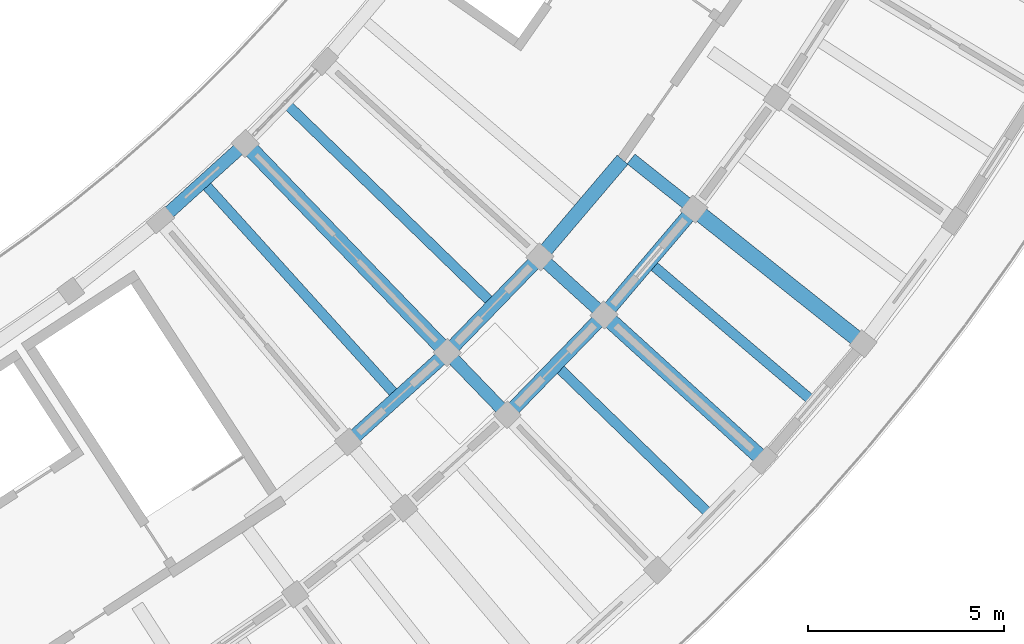
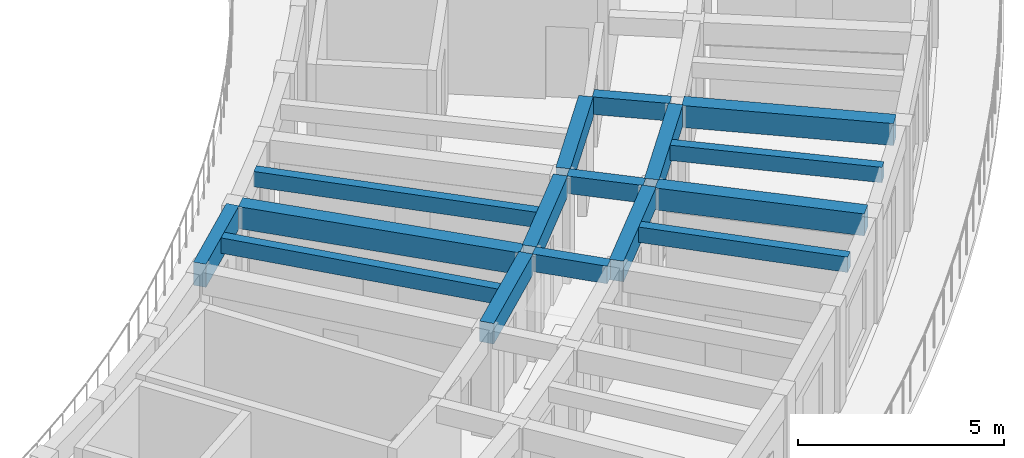
# One storey, part 10 of 56: 16 beams.
"""IFC4 building model written with IfcOpenShell, lengths in metres."""

from ifc_helpers import new_model, si_unit, direction, frame, origin, origin_2d, place, context, subcontext, project, spatial, rectangle, extrude, material, material_profile, profile_set, type_object, element, save


model = new_model("IFC4")

# Units and contexts
model_context = context("Model", 3, precision=1e-05, world=origin(), true_north=direction((0.0, 1.0)))
body_context = subcontext(model_context, "Body", "Model", "MODEL_VIEW")
ifc_project = project(units=[si_unit("LENGTHUNIT", "METRE"), si_unit("AREAUNIT", "SQUARE_METRE"), si_unit("VOLUMEUNIT", "CUBIC_METRE"), si_unit("PLANEANGLEUNIT", "RADIAN"), si_unit("MASSUNIT", "GRAM", prefix="KILO")], contexts=[model_context])

# Site, building, storey
site_placement = place(None, origin())
site = spatial("IfcSite", under=ifc_project, at=site_placement, CompositionType="ELEMENT")
building_placement = place(site_placement, origin())
building = spatial("IfcBuilding", under=site, at=building_placement, Name="Tanwirah Colonnade Gardens", CompositionType="ELEMENT")
storey_placement = place(building_placement, frame((0.0, 0.0, 29.0)))
storey = spatial("IfcBuildingStorey", under=building, at=storey_placement, Name="L08", CompositionType="ELEMENT", Elevation=29.0)

# Beams
ifc_material_1 = material(Name="Precast concrete C40/50", Category="concrete")
ifc_material_profile_1 = material_profile(ifc_material_1, rectangle(XDim=0.360107421875, YDim=0.610107421875, at=origin_2d()), Name="PC-BM 360x610")
ifc_profile_set_1 = profile_set([ifc_material_profile_1], Name="Precast concrete C40/50")
beam_type_1 = type_object("IfcBeamType", Name="BM-PC300", PredefinedType="BEAM", material=ifc_profile_set_1)
beam_1_placement = place(storey_placement, frame((154.61279296875, 25.027099609375, 2.820068359375), z_axis=(0.741698455559, 0.670733479873, 0.0), x_axis=(-0.670733479873, 0.741698455559, 0.0)))
element("IfcBeam", 1, at=beam_1_placement, inside=storey, type_object=beam_type_1, Name="Block D L08 Circumferential Beam 7-R1", PredefinedType="BEAM", context=body_context, shape_type="SweptSolid", body=[
    extrude(rectangle(XDim=0.360107421875, YDim=0.610107421875, at=origin_2d()), origin(), (0.0, 0.0, 1.0), 3.0927734375),
])
beam_2_placement = place(storey_placement, frame((157.12255859375, 27.309814453125, 2.820068359375), z_axis=(0.696209937932, 0.71783822852, 0.0), x_axis=(-0.71783822852, 0.696209937932, 0.0)))
element("IfcBeam", 2, at=beam_2_placement, inside=storey, type_object=beam_type_1, Name="Block D L08 Circumferential Beam 8-R1", PredefinedType="BEAM", context=body_context, shape_type="SweptSolid", body=[
    extrude(rectangle(XDim=0.360107421875, YDim=0.610107421875, at=origin_2d()), origin(), (0.0, 0.0, 1.0), 3.093017578125),
])
beam_3_placement = place(storey_placement, frame((158.650634765625, 25.727294921875, 2.820068359375), z_axis=(0.696238887656, 0.717810149911, 0.0), x_axis=(-0.717810149911, 0.696238887656, 0.0)))
element("IfcBeam", 3, at=beam_3_placement, inside=storey, type_object=beam_type_1, Name="Block D L08 Circumferential Beam 8-R2", PredefinedType="BEAM", context=body_context, shape_type="SweptSolid", body=[
    extrude(rectangle(XDim=0.360107421875, YDim=0.610107421875, at=origin_2d()), origin(), (0.0, 0.0, 1.0), 3.23681640625),
])
beam_4_placement = place(storey_placement, frame((159.4775390625, 29.751953125, 2.820068359375), z_axis=(0.647730901566, 0.761869200819, 0.0), x_axis=(-0.761869200819, 0.647730901566, 0.0)))
element("IfcBeam", 4, at=beam_4_placement, inside=storey, type_object=beam_type_1, Name="Block D L08 Circumferential Beam 9-R1", PredefinedType="BEAM", context=body_context, shape_type="SweptSolid", body=[
    extrude(rectangle(XDim=0.360107421875, YDim=0.610107421875, at=origin_2d()), origin(), (0.0, 0.0, 1.0), 3.093017578125),
])
beam_5_placement = place(storey_placement, frame((161.10595703125, 28.27294921875, 2.820068359375), z_axis=(0.6478235549, 0.761790418499, 0.0), x_axis=(-0.761790418499, 0.6478235549, 0.0)))
element("IfcBeam", 5, at=beam_5_placement, inside=storey, type_object=beam_type_1, Name="Block D L08 Circumferential Beam 9-R2", PredefinedType="BEAM", context=body_context, shape_type="SweptSolid", body=[
    extrude(rectangle(XDim=0.360107421875, YDim=0.610107421875, at=origin_2d()), origin(), (0.0, 0.0, 1.0), 3.23681640625),
])
ifc_material_profile_2 = material_profile(ifc_material_1, rectangle(XDim=0.320068359375, YDim=0.52001953125, at=origin_2d()), Name="PC-BM 320x520")
ifc_profile_set_2 = profile_set([ifc_material_profile_2], Name="Precast concrete C40/50")
beam_type_2 = type_object("IfcBeamType", Name="BM-PC320", PredefinedType="BEAM", material=ifc_profile_set_2)
beam_6_placement = place(storey_placement, frame((157.122314453125, 27.09423828125, 2.864990234375), z_axis=(0.694663306685, -0.719335033448, 0.0), x_axis=(0.719335033448, 0.694663306685, 0.0)))
element("IfcBeam", 6, at=beam_6_placement, inside=storey, type_object=beam_type_2, Name="Block D L08 Corridor Tie Beam 8", PredefinedType="BEAM", context=body_context, shape_type="SweptSolid", body=[
    extrude(rectangle(XDim=0.320068359375, YDim=0.52001953125, at=origin_2d()), origin(), (0.0, 0.0, 1.0), 1.89990234375),
])
beam_7_placement = place(storey_placement, frame((159.491455078125, 29.536865234375, 2.864990234375), z_axis=(0.740219127015, -0.672365707038, 0.0), x_axis=(0.672365707038, 0.740219127015, 0.0)))
element("IfcBeam", 7, at=beam_7_placement, inside=storey, type_object=beam_type_2, Name="Block D L08 Corridor Tie Beam 9", PredefinedType="BEAM", context=body_context, shape_type="SweptSolid", body=[
    extrude(rectangle(XDim=0.320068359375, YDim=0.52001953125, at=origin_2d()), origin(), (0.0, 0.0, 1.0), 1.899658203125),
])
beam_8_placement = place(storey_placement, frame((161.695556640625, 32.129150390625, 2.864990234375), z_axis=(0.782670764896, -0.622435919415, 0.0), x_axis=(0.622435919415, 0.782670764896, 0.0)))
element("IfcBeam", 8, at=beam_8_placement, inside=storey, type_object=beam_type_2, Name="Block D L08 Corridor Tie Beam 10", PredefinedType="BEAM", context=body_context, shape_type="SweptSolid", body=[
    extrude(rectangle(XDim=0.320068359375, YDim=0.52001953125, at=origin_2d()), origin(), (0.0, 0.0, 1.0), 1.89990234375),
])
ifc_material_2 = material(Name="Precast concrete C45/55", Category="concrete")
ifc_material_profile_3 = material_profile(ifc_material_2, rectangle(XDim=0.39990234375, YDim=0.64990234375, at=origin_2d()), Name="PC-BM 400x650")
ifc_profile_set_3 = profile_set([ifc_material_profile_3], Name="Precast concrete C45/55")
beam_type_3 = type_object("IfcBeamType", Name="BM-PC400", PredefinedType="BEAM", material=ifc_profile_set_3)
beam_9_placement = place(storey_placement, frame((156.913818359375, 27.31005859375, 2.800048828125), z_axis=(-0.694654648761, 0.719343394322, 0.0), x_axis=(-0.719343394322, -0.694654648761, 0.0)))
element("IfcBeam", 9, at=beam_9_placement, inside=storey, type_object=beam_type_3, Name="Block D L08 Inner Radial Precast Girder 8", PredefinedType="BEAM", context=body_context, shape_type="SweptSolid", body=[
    extrude(rectangle(XDim=0.39990234375, YDim=0.64990234375, at=origin_2d()), origin(), (0.0, 0.0, 1.0), 7.10009765625),
])
beam_10_placement = place(storey_placement, frame((161.119873046875, 28.0576171875, 2.800048828125), z_axis=(0.740237431414, -0.672345554855, 0.0), x_axis=(0.672345554855, 0.740237431414, 0.0)))
element("IfcBeam", 10, at=beam_10_placement, inside=storey, type_object=beam_type_3, Name="Block D L08 Outer Radial Precast Girder 9", PredefinedType="BEAM", context=body_context, shape_type="SweptSolid", body=[
    extrude(rectangle(XDim=0.39990234375, YDim=0.64990234375, at=origin_2d()), origin(), (0.0, 0.0, 1.0), 5.199951171875),
])
beam_11_placement = place(storey_placement, frame((163.41748046875, 30.759765625, 2.800048828125), z_axis=(0.782592736164, -0.622534022606, 0.0), x_axis=(0.622534022606, 0.782592736164, 0.0)))
element("IfcBeam", 11, at=beam_11_placement, inside=storey, type_object=beam_type_3, Name="Block D L08 Outer Radial Precast Girder 10", PredefinedType="BEAM", context=body_context, shape_type="SweptSolid", body=[
    extrude(rectangle(XDim=0.39990234375, YDim=0.64990234375, at=origin_2d()), origin(), (0.0, 0.0, 1.0), 5.19970703125),
])
ifc_material_profile_4 = material_profile(ifc_material_1, rectangle(XDim=0.2548828125, YDim=0.455078125, at=origin_2d()), Name="PC-JST 255x455")
ifc_profile_set_4 = profile_set([ifc_material_profile_4], Name="Precast concrete C40/50")
beam_type_4 = type_object("IfcBeamType", Name="JST-PC240", PredefinedType="JOIST", material=ifc_profile_set_4)
beam_12_placement = place(storey_placement, frame((150.895263671875, 31.443115234375, 2.8974609375), z_axis=(0.670773136608, -0.741662591214, 0.0), x_axis=(0.741662591214, 0.670773136608, 0.0)))
element("IfcBeam", 12, at=beam_12_placement, inside=storey, type_object=beam_type_4, Name="Block D L08 Inner Precast Floor Joist 7", PredefinedType="JOIST", context=body_context, shape_type="SweptSolid", body=[
    extrude(rectangle(XDim=0.2548828125, YDim=0.455078125, at=origin_2d()), origin(), (0.0, 0.0, 1.0), 7.159912109375),
])
beam_13_placement = place(storey_placement, frame((159.884521484375, 26.785400390625, 2.8974609375), z_axis=(0.717816036263, -0.696232818878, 0.0), x_axis=(0.696232818878, 0.717816036263, 0.0)))
element("IfcBeam", 13, at=beam_13_placement, inside=storey, type_object=beam_type_4, Name="Block D L08 Precast Floor Joist 8", PredefinedType="JOIST", context=body_context, shape_type="SweptSolid", body=[
    extrude(rectangle(XDim=0.2548828125, YDim=0.455078125, at=origin_2d()), origin(), (0.0, 0.0, 1.0), 5.260009765625),
])
beam_14_placement = place(storey_placement, frame((152.993408203125, 33.46923828125, 2.8974609375), z_axis=(0.717816218075, -0.69623263143, 0.0), x_axis=(0.69623263143, 0.717816218075, 0.0)))
element("IfcBeam", 14, at=beam_14_placement, inside=storey, type_object=beam_type_4, Name="Block D L08 Inner Precast Floor Joist 8", PredefinedType="JOIST", context=body_context, shape_type="SweptSolid", body=[
    extrude(rectangle(XDim=0.2548828125, YDim=0.455078125, at=origin_2d()), origin(), (0.0, 0.0, 1.0), 7.16015625),
])
beam_15_placement = place(storey_placement, frame((162.267822265625, 29.409423828125, 2.8974609375), z_axis=(0.761803021124, -0.647808734895, 0.0), x_axis=(0.647808734895, 0.761803021124, 0.0)))
element("IfcBeam", 15, at=beam_15_placement, inside=storey, type_object=beam_type_4, Name="Block D L08 Precast Floor Joist 9", PredefinedType="JOIST", context=body_context, shape_type="SweptSolid", body=[
    extrude(rectangle(XDim=0.2548828125, YDim=0.455078125, at=origin_2d()), origin(), (0.0, 0.0, 1.0), 5.260009765625),
])
ifc_material_profile_5 = material_profile(ifc_material_1, rectangle(XDim=0.324951171875, YDim=0.68505859375, at=origin_2d()), Name="PC-SP 325x685")
ifc_profile_set_5 = profile_set([ifc_material_profile_5], Name="Precast concrete C40/50")
beam_type_5 = type_object("IfcBeamType", Name="SP-PC260", PredefinedType="SPANDREL", material=ifc_profile_set_5)
beam_16_placement = place(storey_placement, frame((149.83154296875, 30.675048828125, 2.782470703125), z_axis=(0.741686528432, 0.670746668678, 0.0), x_axis=(-0.670746668678, 0.741686528432, 0.0)))
element("IfcBeam", 16, at=beam_16_placement, inside=storey, type_object=beam_type_5, Name="Block D L08 Circumferential Beam 7-R0", PredefinedType="SPANDREL", context=body_context, shape_type="SweptSolid", body=[
    extrude(rectangle(XDim=0.324951171875, YDim=0.68505859375, at=origin_2d()), origin(), (0.0, 0.0, 1.0), 2.608642578125),
])

save(model, "model.ifc")
